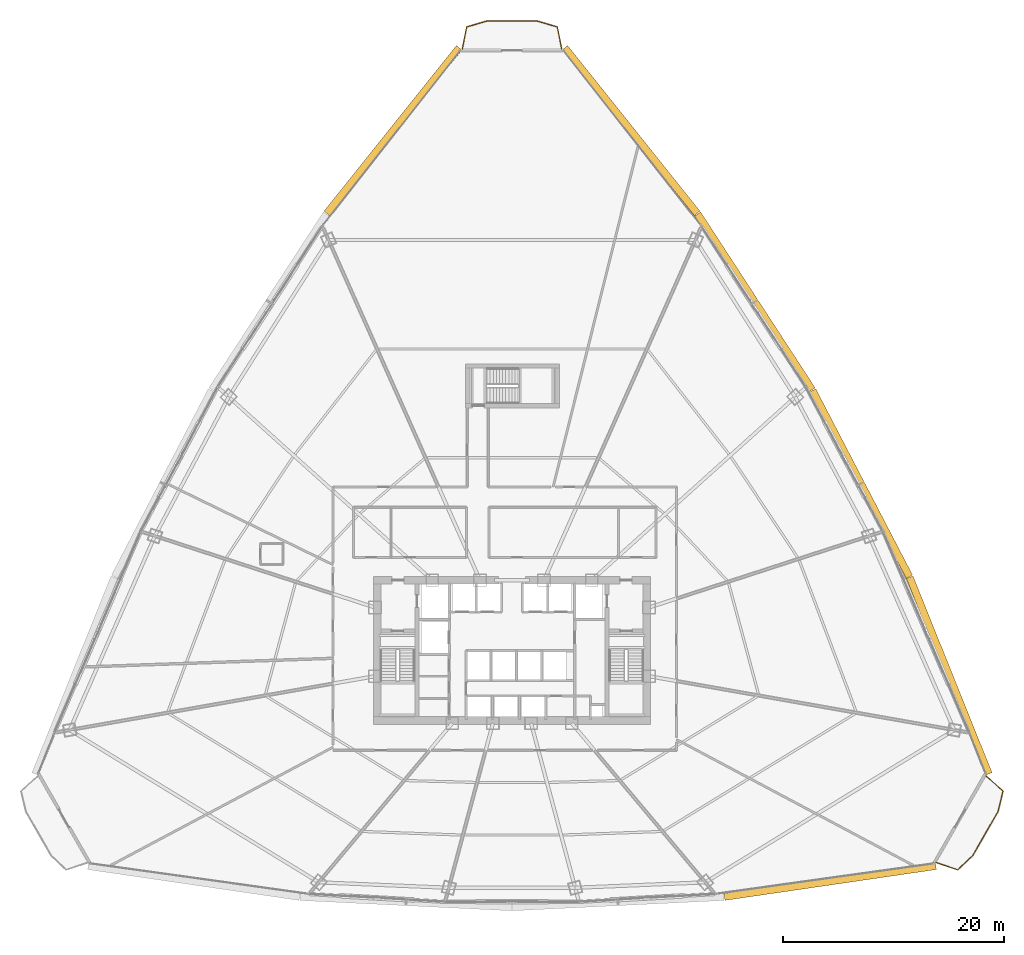
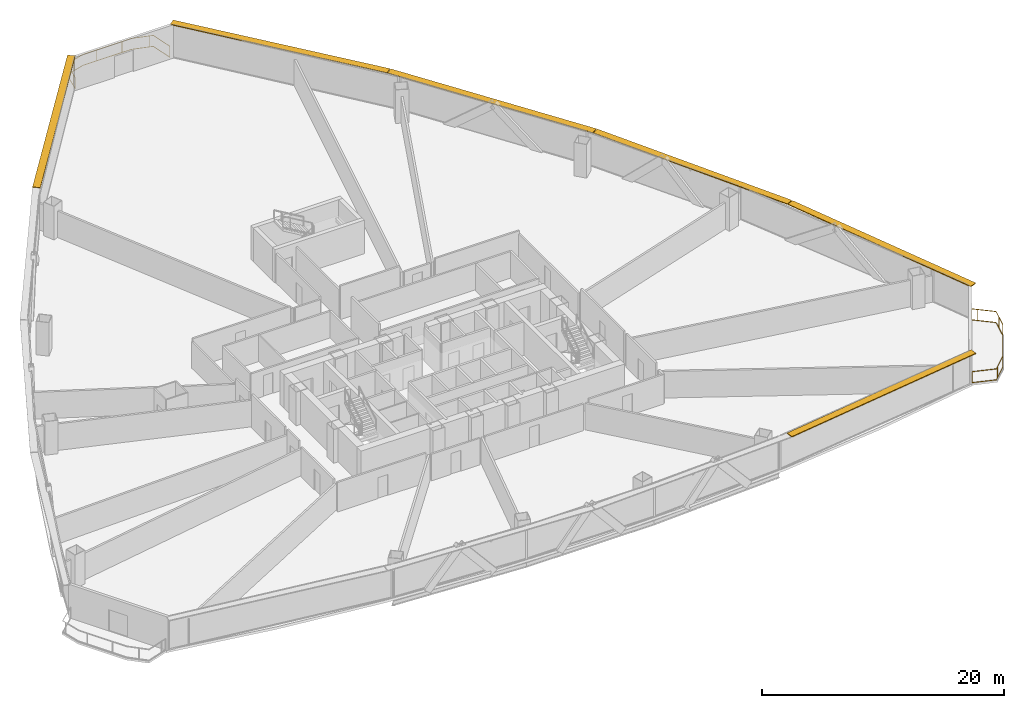
# One storey, part 37 of 37: 6 shading devices, 2 railings.
"""IFC4 building model written with IfcOpenShell, lengths in metres."""

from ifc_helpers import new_model, si_unit, direction, frame, origin, origin_2d, place, context, subcontext, project, spatial, rectangle, extrude, source, transform, mapped, material, layer, layer_set, type_object, element, save


model = new_model("IFC4")

# Units and contexts
model_context = context("Model", 3, precision=1e-05, world=origin(), true_north=direction((0.0, 1.0)))
body_context = subcontext(model_context, "Body", "Model", "MODEL_VIEW")
ifc_project = project(units=[si_unit("LENGTHUNIT", "METRE"), si_unit("AREAUNIT", "SQUARE_METRE"), si_unit("VOLUMEUNIT", "CUBIC_METRE"), si_unit("PLANEANGLEUNIT", "RADIAN"), si_unit("MASSUNIT", "GRAM", prefix="KILO"), si_unit("THERMODYNAMICTEMPERATUREUNIT", "KELVIN"), si_unit("POWERUNIT", "WATT")], contexts=[model_context])

# Site, building, storey
site_placement = place(None, origin())
site = spatial("IfcSite", under=ifc_project, at=site_placement, CompositionType="ELEMENT")
building_placement = place(site_placement, origin())
building = spatial("IfcBuilding", under=site, at=building_placement, Name="Yunzhuo Pagoda Commons", CompositionType="ELEMENT")
storey_placement = place(building_placement, frame((0.0, 0.0, 52.179931640625)))
storey = spatial("IfcBuildingStorey", under=building, at=storey_placement, Name="L13", CompositionType="ELEMENT", Elevation=52.179931640625)

# Railings
ifc_material = material(Name="Anodized aluminium 6063-T6", Category="aluminium")
railing_type = type_object("IfcRailingType", Name="RL-BAL1 Exterior Terrace & Balcony Balustrade 1150", PredefinedType="BALUSTRADE", material=ifc_material)
railing_1_placement = place(storey_placement, frame((86.410888671875, 14.6337890625, 0.0)))
element("IfcRailing", 1, at=railing_1_placement, inside=storey, type_object=railing_type, Name="L13 corner balcony balustrade V2", PredefinedType="BALUSTRADE", context=body_context, shape_type="SweptSolid", body=[
    extrude(rectangle(XDim=0.048095703125, YDim=0.048095703125, at=origin_2d()), frame((0.0, 0.0, 1.1259765625), z_axis=(0.947395259337, -0.320065965992, 0.0), x_axis=(0.320065965992, 0.947395259337, 0.0)), (0.0, 0.0, 1.0), 2.0595703125),
    extrude(rectangle(XDim=0.048095703125, YDim=0.048095703125, at=origin_2d()), frame((0.0, 0.0, 0.02392578125), z_axis=(0.947395259337, -0.320065965992, 0.0), x_axis=(0.320065965992, 0.947395259337, 0.0)), (0.0, 0.0, 1.0), 2.0595703125),
    extrude(rectangle(XDim=0.048095703125, YDim=0.048095703125, at=origin_2d()), frame((1.951171875, -0.6591796875, 1.1259765625), z_axis=(0.720429774389, 0.693527894302, 0.0), x_axis=(-0.693527894302, 0.720429774389, 0.0)), (0.0, 0.0, 1.0), 1.896728515625),
    extrude(rectangle(XDim=0.048095703125, YDim=0.048095703125, at=origin_2d()), frame((1.951171875, -0.6591796875, 0.02392578125), z_axis=(0.720429774389, 0.693527894302, 0.0), x_axis=(-0.693527894302, 0.720429774389, 0.0)), (0.0, 0.0, 1.0), 1.896728515625),
    extrude(rectangle(XDim=0.048095703125, YDim=0.048095703125, at=origin_2d()), frame((3.317626953125, 0.65625, 1.1259765625), z_axis=(0.497931801723, 0.867216190366, 0.0), x_axis=(-0.867216190366, 0.497931801723, 0.0)), (0.0, 0.0, 1.0), 4.60205078125),
    extrude(rectangle(XDim=0.048095703125, YDim=0.048095703125, at=origin_2d()), frame((3.317626953125, 0.65625, 0.02392578125), z_axis=(0.497931801723, 0.867216190366, 0.0), x_axis=(-0.867216190366, 0.497931801723, 0.0)), (0.0, 0.0, 1.0), 4.60205078125),
    extrude(rectangle(XDim=0.048095703125, YDim=0.048095703125, at=origin_2d()), frame((5.609130859375, 4.647216796875, 1.1259765625), z_axis=(0.235684758319, 0.971829560518, 0.0), x_axis=(-0.971829560518, 0.235684758319, 0.0)), (0.0, 0.0, 1.0), 1.896728515625),
    extrude(rectangle(XDim=0.048095703125, YDim=0.048095703125, at=origin_2d()), frame((5.609130859375, 4.647216796875, 0.02392578125), z_axis=(0.235684758319, 0.971829560518, 0.0), x_axis=(-0.971829560518, 0.235684758319, 0.0)), (0.0, 0.0, 1.0), 1.896728515625),
    extrude(rectangle(XDim=0.048095703125, YDim=0.048095703125, at=origin_2d()), frame((6.05615234375, 6.490478515625, 1.1259765625), z_axis=(-0.753933830692, 0.656950362614, 0.0), x_axis=(-0.656950362614, -0.753933830692, 0.0)), (0.0, 0.0, 1.0), 2.05908203125),
    extrude(rectangle(XDim=0.048095703125, YDim=0.048095703125, at=origin_2d()), frame((6.05615234375, 6.490478515625, 0.02392578125), z_axis=(-0.753933830692, 0.656950362614, 0.0), x_axis=(-0.656950362614, -0.753933830692, 0.0)), (0.0, 0.0, 1.0), 2.05908203125),
    extrude(rectangle(XDim=0.0419921875, YDim=0.0419921875, at=origin_2d()), origin(), (0.0, 0.0, 1.0), 1.101806640625),
    extrude(rectangle(XDim=0.0419921875, YDim=0.0419921875, at=origin_2d()), frame((2.196533203125, -0.423095703125, 0.0)), (0.0, 0.0, 1.0), 1.101806640625),
    extrude(rectangle(XDim=0.0419921875, YDim=0.0419921875, at=origin_2d()), frame((3.73779296875, 1.387939453125, 0.0)), (0.0, 0.0, 1.0), 1.101806640625),
    extrude(rectangle(XDim=0.0419921875, YDim=0.0419921875, at=origin_2d()), frame((4.932861328125, 3.46923828125, 0.0)), (0.0, 0.0, 1.0), 1.101806640625),
    extrude(rectangle(XDim=0.0419921875, YDim=0.0419921875, at=origin_2d()), frame((5.854736328125, 5.65966796875, 0.0)), (0.0, 0.0, 1.0), 1.101806640625),
    extrude(rectangle(XDim=0.0419921875, YDim=0.0419921875, at=origin_2d()), frame((4.891357421875, 7.50537109375, 0.0)), (0.0, 0.0, 1.0), 1.101806640625),
    extrude(rectangle(XDim=0.0419921875, YDim=0.0419921875, at=origin_2d()), frame((4.503662109375, 7.84326171875, 0.0)), (0.0, 0.0, 1.0), 1.101806640625),
])
railing_2_placement = place(storey_placement, frame((52.503173828125, 88.280517578125, 0.0)))
element("IfcRailing", 2, at=railing_2_placement, inside=storey, type_object=railing_type, Name="L13 corner balcony balustrade V3", PredefinedType="BALUSTRADE", context=body_context, shape_type="SweptSolid", body=[
    extrude(rectangle(XDim=0.048095703125, YDim=0.048095703125, at=origin_2d()), frame((0.0, 0.0, 1.1259765625), z_axis=(-0.194337253182, 0.980934774603, 0.0), x_axis=(-0.980934774603, -0.194337253182, 0.0)), (0.0, 0.0, 1.0), 2.05908203125),
    extrude(rectangle(XDim=0.048095703125, YDim=0.048095703125, at=origin_2d()), frame((0.0, 0.0, 0.02392578125), z_axis=(-0.194337253182, 0.980934774603, 0.0), x_axis=(-0.980934774603, -0.194337253182, 0.0)), (0.0, 0.0, 1.0), 2.05908203125),
    extrude(rectangle(XDim=0.048095703125, YDim=0.048095703125, at=origin_2d()), frame((-0.400146484375, 2.019775390625, 1.1259765625), z_axis=(-0.959762068021, 0.280814481088, 0.0), x_axis=(-0.280814481088, -0.959762068021, 0.0)), (0.0, 0.0, 1.0), 1.887451171875),
    extrude(rectangle(XDim=0.048095703125, YDim=0.048095703125, at=origin_2d()), frame((-0.400146484375, 2.019775390625, 0.02392578125), z_axis=(-0.959762068021, 0.280814481088, 0.0), x_axis=(-0.280814481088, -0.959762068021, 0.0)), (0.0, 0.0, 1.0), 1.887451171875),
    extrude(rectangle(XDim=0.048095703125, YDim=0.048095703125, at=origin_2d()), frame((-2.211669921875, 2.5498046875, 1.1259765625), z_axis=(-1.0, 0.0, 0.0), x_axis=(0.0, -1.0, 0.0)), (0.0, 0.0, 1.0), 4.5830078125),
    extrude(rectangle(XDim=0.048095703125, YDim=0.048095703125, at=origin_2d()), frame((-2.211669921875, 2.5498046875, 0.02392578125), z_axis=(-1.0, 0.0, 0.0), x_axis=(0.0, -1.0, 0.0)), (0.0, 0.0, 1.0), 4.5830078125),
    extrude(rectangle(XDim=0.048095703125, YDim=0.048095703125, at=origin_2d()), frame((-6.794677734375, 2.5498046875, 1.1259765625), z_axis=(-0.959762068021, -0.280814481088, 0.0), x_axis=(0.280814481088, -0.959762068021, 0.0)), (0.0, 0.0, 1.0), 1.887451171875),
    extrude(rectangle(XDim=0.048095703125, YDim=0.048095703125, at=origin_2d()), frame((-6.794677734375, 2.5498046875, 0.02392578125), z_axis=(-0.959762068021, -0.280814481088, 0.0), x_axis=(0.280814481088, -0.959762068021, 0.0)), (0.0, 0.0, 1.0), 1.887451171875),
    extrude(rectangle(XDim=0.048095703125, YDim=0.048095703125, at=origin_2d()), frame((-8.606201171875, 2.019775390625, 1.1259765625), z_axis=(-0.194337253182, -0.980934774603, 0.0), x_axis=(0.980934774603, -0.194337253182, 0.0)), (0.0, 0.0, 1.0), 2.05908203125),
    extrude(rectangle(XDim=0.048095703125, YDim=0.048095703125, at=origin_2d()), frame((-8.606201171875, 2.019775390625, 0.02392578125), z_axis=(-0.194337253182, -0.980934774603, 0.0), x_axis=(0.980934774603, -0.194337253182, 0.0)), (0.0, 0.0, 1.0), 2.05908203125),
    extrude(rectangle(XDim=0.0419921875, YDim=0.0419921875, at=origin_2d()), origin(), (0.0, 0.0, 1.0), 1.101806640625),
    extrude(rectangle(XDim=0.0419921875, YDim=0.0419921875, at=origin_2d()), frame((-0.727294921875, 2.115478515625, 0.0)), (0.0, 0.0, 1.0), 1.101806640625),
    extrude(rectangle(XDim=0.0419921875, YDim=0.0419921875, at=origin_2d()), frame((-3.065185546875, 2.5498046875, 0.0)), (0.0, 0.0, 1.0), 1.101806640625),
    extrude(rectangle(XDim=0.0419921875, YDim=0.0419921875, at=origin_2d()), frame((-5.465087890625, 2.5498046875, 0.0)), (0.0, 0.0, 1.0), 1.101806640625),
    extrude(rectangle(XDim=0.0419921875, YDim=0.0419921875, at=origin_2d()), frame((-7.822021484375, 2.249267578125, 0.0)), (0.0, 0.0, 1.0), 1.101806640625),
    extrude(rectangle(XDim=0.0419921875, YDim=0.0419921875, at=origin_2d()), frame((-8.913818359375, 0.467041015625, 0.0)), (0.0, 0.0, 1.0), 1.101806640625),
    extrude(rectangle(XDim=0.0419921875, YDim=0.0419921875, at=origin_2d()), frame((-9.00634765625, 0.0, 0.0)), (0.0, 0.0, 1.0), 1.101806640625),
])

# Shading devices
ifc_layer = layer(ifc_material, 0.080078125)
ifc_layer_set = layer_set([ifc_layer], Name="Anodized aluminium 6063-T6")
shading_device_type = type_object("IfcShadingDeviceType", Name="SH-SUN1 Pagoda Horizontal Sunshade Eave 650", PredefinedType="USERDEFINED", material=ifc_layer_set)
shared_shape_1 = source(origin(), body_context, "Body", "SweptSolid", [
    extrude(rectangle(XDim=19.34912109375, YDim=0.64990234375, at=origin_2d()), origin(), (0.0, 0.0, 1.0), 0.080078125),
])
shading_device_placement = place(storey_placement, frame((76.81298828125, 12.926513671875, 3.2900390625), z_axis=(0.0, 0.0, 1.0), x_axis=(0.989510666697, 0.144459823108, 0.0)))
element("IfcShadingDevice", 3, at=shading_device_placement, inside=storey, type_object=shading_device_type, Name="L13 horizontal pagoda sunshade eave F1.4", ObjectType="SUNSHADE", PredefinedType="USERDEFINED", context=body_context, shape_type="MappedRepresentation", body=[
    mapped(shared_shape_1, transform((0.0, 0.0, 0.0), scale=1.0)),
])
shared_shape_2 = source(origin(), body_context, "Body", "SweptSolid", [
    extrude(rectangle(XDim=19.193603515625, YDim=0.64990234375, at=origin_2d()), origin(), (0.0, 0.0, 1.0), 0.080078125),
])
for number, where, z_axis, x_axis, name in (
    (4, (87.590087890625, 31.55859375, 3.2900390625), (0.0, 0.0, 1.0), (-0.372987782576, 0.927836253899, 0.0), "L13 horizontal pagoda sunshade eave F2.1"),
    (5, (58.7763671875, 80.91943359375, 3.2900390625), (0.0, 0.0, 1.0), (-0.624520471688, 0.781008438138, 0.0), "L13 horizontal pagoda sunshade eave F2.4"),
    (6, (37.2236328125, 80.91943359375, 3.2900390625), (0.0, 0.0, 1.0), (-0.624520471688, -0.781008438138, 0.0), "L13 horizontal pagoda sunshade eave F3.1"),
):
    element("IfcShadingDevice", number, at=place(storey_placement, frame(where, z_axis=z_axis, x_axis=x_axis)), inside=storey, type_object=shading_device_type, Name=name, ObjectType="SUNSHADE", PredefinedType="USERDEFINED", context=body_context, shape_type="MappedRepresentation", body=[
        mapped(shared_shape_2, transform((0.0, 0.0, 0.0), scale=1.0)),
    ])
shared_shape_3 = source(origin(), body_context, "Body", "SweptSolid", [
    extrude(rectangle(XDim=19.01123046875, YDim=0.64990234375, at=origin_2d()), origin(), (0.0, 0.0, 1.0), 0.080078125),
])
for number, where, z_axis, x_axis, name in (
    (7, (79.60009765625, 48.95458984375, 3.2900390625), (0.0, 0.0, 1.0), (-0.461206683033, 0.88729273384, 0.0), "L13 horizontal pagoda sunshade eave F2.2"),
    (8, (69.995361328125, 65.408447265625, 3.2900390625), (0.0, 0.0, 1.0), (-0.545838756973, 0.837890238269, 0.0), "L13 horizontal pagoda sunshade eave F2.3"),
):
    element("IfcShadingDevice", number, at=place(storey_placement, frame(where, z_axis=z_axis, x_axis=x_axis)), inside=storey, type_object=shading_device_type, Name=name, ObjectType="SUNSHADE", PredefinedType="USERDEFINED", context=body_context, shape_type="MappedRepresentation", body=[
        mapped(shared_shape_3, transform((0.0, 0.0, 0.0), scale=1.0)),
    ])

save(model, "model.ifc")
